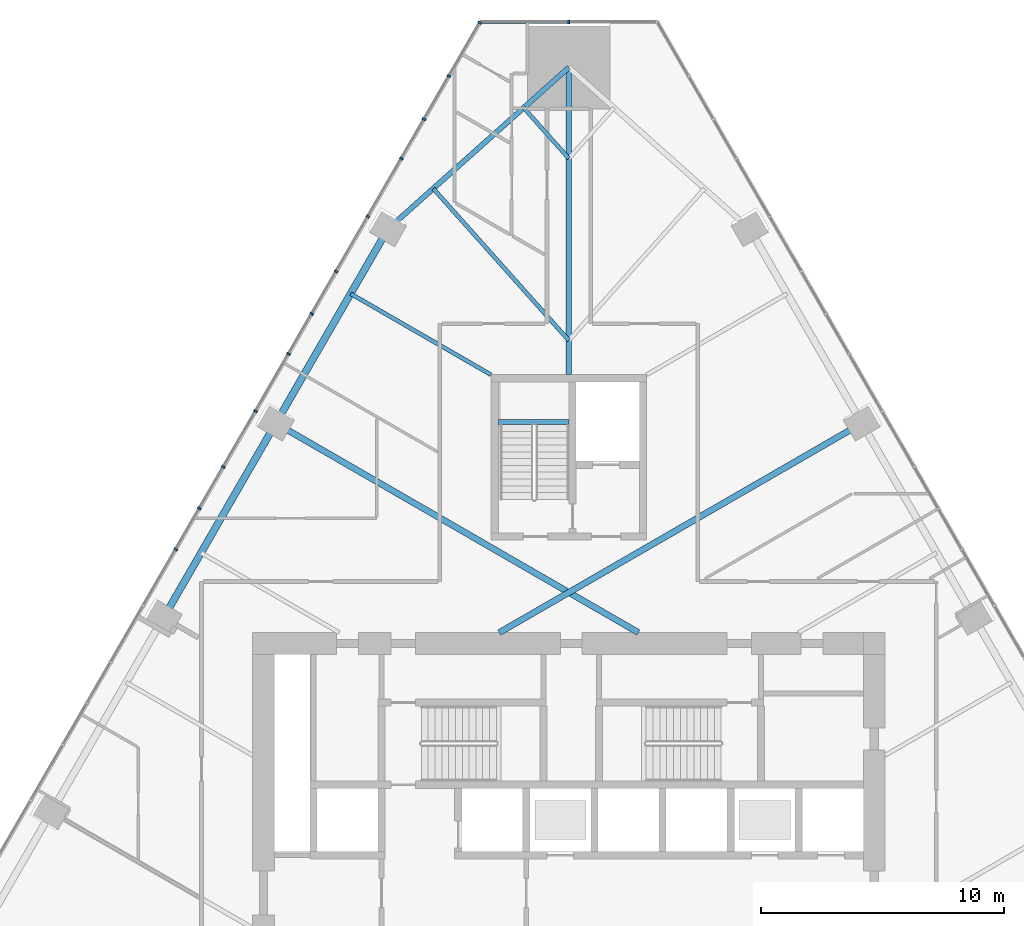
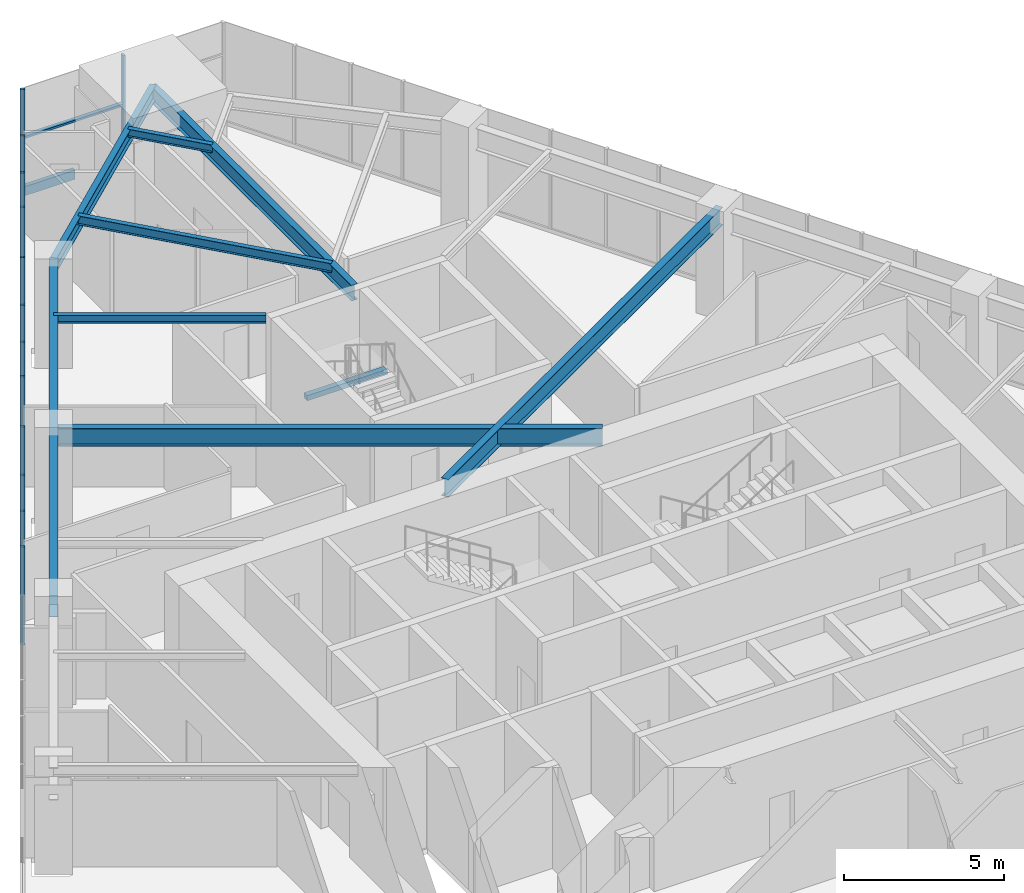
# One storey, part 9 of 19: 15 members, 9 beams, 2 elements without a shape of their own.
"""IFC4 building model written with IfcOpenShell, lengths in metres."""

from ifc_helpers import new_model, si_unit, direction, frame, origin, origin_2d, place, context, subcontext, project, spatial, rectangle, i_section, extrude, material, layer, layer_set, material_profile, profile_set, type_object, element, aggregate, save


model = new_model("IFC4")

# Units and contexts
model_context = context("Model", 3, precision=1e-05, world=origin(), true_north=direction((0.0, 1.0)))
body_context = subcontext(model_context, "Body", "Model", "MODEL_VIEW")
ifc_project = project(units=[si_unit("LENGTHUNIT", "METRE"), si_unit("AREAUNIT", "SQUARE_METRE"), si_unit("VOLUMEUNIT", "CUBIC_METRE"), si_unit("PLANEANGLEUNIT", "RADIAN"), si_unit("MASSUNIT", "GRAM", prefix="KILO")], contexts=[model_context])

# Site, building, storey
site_placement = place(None, origin())
site = spatial("IfcSite", under=ifc_project, at=site_placement, CompositionType="ELEMENT")
building_placement = place(site_placement, origin())
building = spatial("IfcBuilding", under=site, at=building_placement, Name="Firuza Gate Tower and Library", CompositionType="ELEMENT")
storey_placement = place(building_placement, frame((0.0, 0.0, 136.60009765625)))
storey = spatial("IfcBuildingStorey", under=building, at=storey_placement, Name="L31", CompositionType="ELEMENT", Elevation=136.60009765625)

# Curtain wall, member
ifc_material_1 = material(Name="Aluminium 6063-T6", Category="aluminium")
ifc_layer_1 = layer(ifc_material_1, 0.14990234375)
ifc_layer_set_1 = layer_set([ifc_layer_1], Name="Corner curtain wall, chamfers")
curtain_wall_type_1 = type_object("IfcCurtainWallType", Name="Corner curtain wall, chamfers", PredefinedType="NOTDEFINED", material=ifc_layer_set_1)
placement = place(storey_placement, origin())
curtain_wall_1 = element("IfcCurtainWall", 1, at=placement, inside=storey, type_object=curtain_wall_type_1, Name="CW4 L31 N corner", PredefinedType="NOTDEFINED")
ifc_material_2 = material(Name="Aluminium 6063-T6", Category="aluminium")
ifc_material_profile_1 = material_profile(ifc_material_2, rectangle(XDim=0.14990234375, YDim=0.080078125, at=origin_2d()))
ifc_profile_set_1 = profile_set([ifc_material_profile_1], Name="Aluminium 6063-T6")
member_type_1 = type_object("IfcMemberType", Name="Curtain wall mullion 80x150", PredefinedType="MULLION", material=ifc_profile_set_1)
member_1_placement = place(storey_placement, frame((75.0, 109.103271484375, 0.14990234375), z_axis=(0.0, 0.0, 1.0), x_axis=(0.0, -1.0, 0.0)))
member_1 = element("IfcMember", 2, at=member_1_placement, type_object=member_type_1, Name="Mullion", PredefinedType="MULLION", context=body_context, shape_type="SweptSolid", body=[
    extrude(rectangle(XDim=0.14990234375, YDim=0.080078125, at=origin_2d()), origin(), (0.0, 0.0, 1.0), 3.75),
])

# Curtain wall, members
ifc_material_3 = material(Name="Aluminium 6063-T6", Category="aluminium")
ifc_layer_2 = layer(ifc_material_3, 0.14990234375)
ifc_layer_set_2 = layer_set([ifc_layer_2], Name="Unitised curtain wall, offices")
curtain_wall_type_2 = type_object("IfcCurtainWallType", Name="Unitised curtain wall, offices", PredefinedType="NOTDEFINED", material=ifc_layer_set_2)
curtain_wall_2 = element("IfcCurtainWall", 3, at=placement, inside=storey, type_object=curtain_wall_type_2, Name="CW1 L31 W face", PredefinedType="NOTDEFINED")
member_2_placement = place(storey_placement, frame((71.336669921875, 109.068603515625, 0.14990234375), z_axis=(0.0, 0.0, 1.0), x_axis=(0.866025403784, -0.5, 0.0)))
member_2 = element("IfcMember", 4, at=member_2_placement, type_object=member_type_1, Name="Mullion", PredefinedType="MULLION", context=body_context, shape_type="SweptSolid", body=[
    extrude(rectangle(XDim=0.14990234375, YDim=0.080078125, at=origin_2d()), origin(), (0.0, 0.0, 1.0), 3.75),
])
member_3_placement = place(storey_placement, frame((69.04736328125, 105.103271484375, 0.14990234375), z_axis=(0.0, 0.0, 1.0), x_axis=(0.866025403784, -0.5, 0.0)))
member_3 = element("IfcMember", 5, at=member_3_placement, type_object=member_type_1, Name="Mullion", PredefinedType="MULLION", context=body_context, shape_type="SweptSolid", body=[
    extrude(rectangle(XDim=0.14990234375, YDim=0.080078125, at=origin_2d()), origin(), (0.0, 0.0, 1.0), 3.75),
])
member_4_placement = place(storey_placement, frame((66.738037109375, 101.103271484375, 0.14990234375), z_axis=(0.0, 0.0, 1.0), x_axis=(0.866025403784, -0.5, 0.0)))
member_4 = element("IfcMember", 6, at=member_4_placement, type_object=member_type_1, Name="Mullion", PredefinedType="MULLION", context=body_context, shape_type="SweptSolid", body=[
    extrude(rectangle(XDim=0.14990234375, YDim=0.080078125, at=origin_2d()), origin(), (0.0, 0.0, 1.0), 3.75),
])
member_5_placement = place(storey_placement, frame((64.428466796875, 97.103271484375, 0.14990234375), z_axis=(0.0, 0.0, 1.0), x_axis=(0.866025403784, -0.5, 0.0)))
member_5 = element("IfcMember", 7, at=member_5_placement, type_object=member_type_1, Name="Mullion", PredefinedType="MULLION", context=body_context, shape_type="SweptSolid", body=[
    extrude(rectangle(XDim=0.14990234375, YDim=0.080078125, at=origin_2d()), origin(), (0.0, 0.0, 1.0), 3.75),
])
member_6_placement = place(storey_placement, frame((62.119140625, 93.103271484375, 0.14990234375), z_axis=(0.0, 0.0, 1.0), x_axis=(0.866025403784, -0.5, 0.0)))
member_6 = element("IfcMember", 8, at=member_6_placement, type_object=member_type_1, Name="Mullion", PredefinedType="MULLION", context=body_context, shape_type="SweptSolid", body=[
    extrude(rectangle(XDim=0.14990234375, YDim=0.080078125, at=origin_2d()), origin(), (0.0, 0.0, 1.0), 3.75),
])
member_7_placement = place(storey_placement, frame((59.809814453125, 89.103515625, 0.14990234375), z_axis=(0.0, 0.0, 1.0), x_axis=(0.866025403784, -0.5, 0.0)))
member_7 = element("IfcMember", 9, at=member_7_placement, type_object=member_type_1, Name="Mullion", PredefinedType="MULLION", context=body_context, shape_type="SweptSolid", body=[
    extrude(rectangle(XDim=0.14990234375, YDim=0.080078125, at=origin_2d()), origin(), (0.0, 0.0, 1.0), 3.75),
])
member_8_placement = place(storey_placement, frame((70.06884765625, 106.87255859375, 0.14990234375), z_axis=(0.0, 0.0, 1.0), x_axis=(0.866025403784, -0.5, 0.0)))
member_8 = element("IfcMember", 10, at=member_8_placement, type_object=member_type_1, Name="Mullion", PredefinedType="MULLION", context=body_context, shape_type="SweptSolid", body=[
    extrude(rectangle(XDim=0.14990234375, YDim=0.080078125, at=origin_2d()), origin(), (0.0, 0.0, 1.0), 3.75),
])
member_9_placement = place(storey_placement, frame((68.112548828125, 103.484375, 0.14990234375), z_axis=(0.0, 0.0, 1.0), x_axis=(0.866025403784, -0.5, 0.0)))
member_9 = element("IfcMember", 11, at=member_9_placement, type_object=member_type_1, Name="Mullion", PredefinedType="MULLION", context=body_context, shape_type="SweptSolid", body=[
    extrude(rectangle(XDim=0.14990234375, YDim=0.080078125, at=origin_2d()), origin(), (0.0, 0.0, 1.0), 3.75),
])
member_10_placement = place(storey_placement, frame((65.4326171875, 98.842529296875, 0.14990234375), z_axis=(0.0, 0.0, 1.0), x_axis=(0.866025403784, -0.5, 0.0)))
member_10 = element("IfcMember", 12, at=member_10_placement, type_object=member_type_1, Name="Mullion", PredefinedType="MULLION", context=body_context, shape_type="SweptSolid", body=[
    extrude(rectangle(XDim=0.14990234375, YDim=0.080078125, at=origin_2d()), origin(), (0.0, 0.0, 1.0), 3.75),
])
member_11_placement = place(storey_placement, frame((63.4765625, 95.454345703125, 0.14990234375), z_axis=(0.0, 0.0, 1.0), x_axis=(0.866025403784, -0.5, 0.0)))
member_11 = element("IfcMember", 13, at=member_11_placement, type_object=member_type_1, Name="Mullion", PredefinedType="MULLION", context=body_context, shape_type="SweptSolid", body=[
    extrude(rectangle(XDim=0.14990234375, YDim=0.080078125, at=origin_2d()), origin(), (0.0, 0.0, 1.0), 3.75),
])
member_12_placement = place(storey_placement, frame((60.79638671875, 90.8125, 0.14990234375), z_axis=(0.0, 0.0, 1.0), x_axis=(0.866025403784, -0.5, 0.0)))
member_12 = element("IfcMember", 14, at=member_12_placement, type_object=member_type_1, Name="Mullion", PredefinedType="MULLION", context=body_context, shape_type="SweptSolid", body=[
    extrude(rectangle(XDim=0.14990234375, YDim=0.080078125, at=origin_2d()), origin(), (0.0, 0.0, 1.0), 3.75),
])
member_13_placement = place(storey_placement, frame((58.84033203125, 87.42431640625, 0.14990234375), z_axis=(0.0, 0.0, 1.0), x_axis=(0.866025403784, -0.5, 0.0)))
member_13 = element("IfcMember", 15, at=member_13_placement, type_object=member_type_1, Name="Mullion", PredefinedType="MULLION", context=body_context, shape_type="SweptSolid", body=[
    extrude(rectangle(XDim=0.14990234375, YDim=0.080078125, at=origin_2d()), origin(), (0.0, 0.0, 1.0), 3.75),
])
aggregate(curtain_wall_2, [member_2, member_3, member_4, member_5, member_6, member_7, member_8, member_9, member_10, member_11, member_12, member_13])

# Member
ifc_material_4 = material(Name="Aluminium 6063-T6", Category="aluminium")
ifc_material_profile_2 = material_profile(ifc_material_4, rectangle(XDim=0.14990234375, YDim=0.35009765625, at=origin_2d()))
ifc_profile_set_2 = profile_set([ifc_material_profile_2], Name="Aluminium 6063-T6")
member_type_2 = type_object("IfcMemberType", Name="Curtain wall transom 350x150", PredefinedType="USERDEFINED", material=ifc_profile_set_2)
member_14_placement = place(storey_placement, frame((73.22021484375, 109.103271484375, -0.025146484375), z_axis=(-1.0, 0.0, 0.0), x_axis=(0.0, -1.0, 0.0)))
member_14 = element("IfcMember", 16, at=member_14_placement, type_object=member_type_2, Name="Transom", ObjectType="TRANSOM", PredefinedType="USERDEFINED", context=body_context, shape_type="SweptSolid", body=[
    extrude(rectangle(XDim=0.14990234375, YDim=0.35009765625, at=origin_2d()), origin(), (0.0, 0.0, 1.0), 1.863525390625),
])

ifc_material_5 = material(Name="Aluminium 6063-T6", Category="aluminium")
ifc_material_profile_3 = material_profile(ifc_material_5, rectangle(XDim=0.14990234375, YDim=0.080078125, at=origin_2d()))
ifc_profile_set_3 = profile_set([ifc_material_profile_3], Name="Aluminium 6063-T6")
member_type_3 = type_object("IfcMemberType", Name="Curtain wall transom 80x150", PredefinedType="USERDEFINED", material=ifc_profile_set_3)
member_15_placement = place(storey_placement, frame((74.9599609375, 109.103271484375, 2.02490234375), z_axis=(-1.0, 0.0, 0.0), x_axis=(0.0, -1.0, 0.0)))
member_15 = element("IfcMember", 17, at=member_15_placement, type_object=member_type_3, Name="Transom", ObjectType="TRANSOM", PredefinedType="USERDEFINED", context=body_context, shape_type="SweptSolid", body=[
    extrude(rectangle(XDim=0.14990234375, YDim=0.080078125, at=origin_2d()), origin(), (0.0, 0.0, 1.0), 3.563232421875),
])

aggregate(curtain_wall_1, [member_1, member_14, member_15])

# Beams
ifc_material_6 = material(Name="Concrete C35/45", Category="concrete")
ifc_material_profile_4 = material_profile(ifc_material_6, rectangle(XDim=0.199951171875, YDim=0.199951171875, at=origin_2d()))
ifc_profile_set_4 = profile_set([ifc_material_profile_4], Name="Concrete C35/45")
beam_type_1 = type_object("IfcBeamType", Name="Stair landing bearer 200x200", PredefinedType="BEAM", material=ifc_profile_set_4)
beam_1_placement = place(storey_placement, frame((75.0, 92.64990234375, 1.7998046875), z_axis=(-1.0, 0.0, 0.0), x_axis=(0.0, -1.0, 0.0)))
element("IfcBeam", 18, at=beam_1_placement, inside=storey, type_object=beam_type_1, Name="Landing bearer L31 stair 3", PredefinedType="BEAM", context=body_context, shape_type="SweptSolid", body=[
    extrude(rectangle(XDim=0.199951171875, YDim=0.199951171875, at=origin_2d()), origin(), (0.0, 0.0, 1.0), 2.89990234375),
])
ifc_material_7 = material(Name="Steel S355", Category="steel")
ifc_material_profile_5 = material_profile(ifc_material_7, i_section(OverallWidth=0.1650390625, OverallDepth=0.31005859375, WebThickness=0.005859375, FlangeThickness=0.009765625, at=origin_2d()))
ifc_profile_set_5 = profile_set([ifc_material_profile_5], Name="Steel S355")
beam_type_2 = type_object("IfcBeamType", Name="W310x39 Floor beam", PredefinedType="JOIST", material=ifc_profile_set_5)
beam_2_placement = place(storey_placement, frame((73.141845703125, 105.56884765625, 3.744873046875), z_axis=(0.666160121877, -0.745808750298, 0.0), x_axis=(0.745808750298, 0.666160121877, 0.0)))
element("IfcBeam", 19, at=beam_2_placement, inside=storey, type_object=beam_type_2, Name="Floor beam L31 s70", PredefinedType="JOIST", context=body_context, shape_type="SweptSolid", body=[
    extrude(i_section(OverallWidth=0.1650390625, OverallDepth=0.31005859375, WebThickness=0.005859375, FlangeThickness=0.009765625, at=origin_2d()), origin(), (0.0, 0.0, 1.0), 2.789306640625),
])
beam_3_placement = place(storey_placement, frame((66.03076171875, 97.928466796875, 3.744873046875), z_axis=(0.866015314403, -0.500017474915, 0.0), x_axis=(0.500017474915, 0.866015314403, 0.0)))
element("IfcBeam", 20, at=beam_3_placement, inside=storey, type_object=beam_type_2, Name="Floor beam L31 s80", PredefinedType="JOIST", context=body_context, shape_type="SweptSolid", body=[
    extrude(i_section(OverallWidth=0.1650390625, OverallDepth=0.31005859375, WebThickness=0.005859375, FlangeThickness=0.009765625, at=origin_2d()), origin(), (0.0, 0.0, 1.0), 6.661865234375),
])
ifc_material_8 = material(Name="Steel S355", Category="steel")
ifc_material_profile_6 = material_profile(ifc_material_8, i_section(OverallWidth=0.1708984375, OverallDepth=0.35498046875, WebThickness=0.007080078125, FlangeThickness=0.01171875, at=origin_2d()))
ifc_profile_set_6 = profile_set([ifc_material_profile_6], Name="Steel S355")
beam_type_3 = type_object("IfcBeamType", Name="W360x51 Floor beam", PredefinedType="JOIST", material=ifc_profile_set_6)
beam_4_placement = place(storey_placement, frame((69.42578125, 102.250244140625, 3.722412109375), z_axis=(0.666114903296, -0.745849137297, 0.0), x_axis=(0.745849137297, 0.666114903296, 0.0)))
element("IfcBeam", 21, at=beam_4_placement, inside=storey, type_object=beam_type_3, Name="Floor beam L31 s71", PredefinedType="JOIST", context=body_context, shape_type="SweptSolid", body=[
    extrude(i_section(OverallWidth=0.1708984375, OverallDepth=0.35498046875, WebThickness=0.007080078125, FlangeThickness=0.01171875, at=origin_2d()), origin(), (0.0, 0.0, 1.0), 8.3681640625),
])
ifc_material_9 = material(Name="Steel S355", Category="steel")
ifc_material_profile_7 = material_profile(ifc_material_9, i_section(OverallWidth=0.212890625, OverallDepth=0.5390625, WebThickness=0.01171875, FlangeThickness=0.018798828125, at=origin_2d()))
ifc_profile_set_7 = profile_set([ifc_material_profile_7], Name="Steel S355")
beam_type_4 = type_object("IfcBeamType", Name="W530x109 Edge beam", PredefinedType="SPANDREL", material=ifc_profile_set_7)
beam_5_placement = place(storey_placement, frame((75.0, 107.228271484375, 3.63037109375), z_axis=(-0.745856797899, -0.666106325618, 0.0), x_axis=(0.666106325618, -0.745856797899, 0.0)))
element("IfcBeam", 22, at=beam_5_placement, inside=storey, type_object=beam_type_4, Name="Edge beam L31 e70", PredefinedType="SPANDREL", context=body_context, shape_type="SweptSolid", body=[
    extrude(i_section(OverallWidth=0.212890625, OverallDepth=0.5390625, WebThickness=0.01171875, FlangeThickness=0.018798828125, at=origin_2d()), origin(), (0.0, 0.0, 1.0), 9.964599609375),
])
ifc_material_10 = material(Name="Steel S355", Category="steel")
ifc_material_profile_8 = material_profile(ifc_material_10, i_section(OverallWidth=0.22802734375, OverallDepth=0.60302734375, WebThickness=0.010498046875, FlangeThickness=0.014892578125, at=origin_2d()))
ifc_profile_set_8 = profile_set([ifc_material_profile_8], Name="Steel S355")
beam_type_5 = type_object("IfcBeamType", Name="W610x101 Girder", PredefinedType="BEAM", material=ifc_profile_set_8)
beam_6_placement = place(storey_placement, frame((75.0, 107.228271484375, 3.598388671875), z_axis=(0.0, -1.0, 0.0), x_axis=(1.0, 0.0, 0.0)))
element("IfcBeam", 23, at=beam_6_placement, inside=storey, type_object=beam_type_5, Name="Girder L31 gN", PredefinedType="BEAM", context=body_context, shape_type="SweptSolid", body=[
    extrude(i_section(OverallWidth=0.22802734375, OverallDepth=0.60302734375, WebThickness=0.010498046875, FlangeThickness=0.014892578125, at=origin_2d()), origin(), (0.0, 0.0, 1.0), 12.628173828125),
])
ifc_material_11 = material(Name="Steel S355", Category="steel")
ifc_material_profile_9 = material_profile(ifc_material_11, i_section(OverallWidth=0.2529296875, OverallDepth=0.677978515625, WebThickness=0.01171875, FlangeThickness=0.016357421875, at=origin_2d()))
ifc_profile_set_9 = profile_set([ifc_material_profile_9], Name="Steel S355")
beam_type_6 = type_object("IfcBeamType", Name="W690x125 Floor beam", PredefinedType="JOIST", material=ifc_profile_set_9)
for number, where, z_axis, x_axis, name in (
    (24, (87.043701171875, 92.603271484375, 3.560791015625), (-0.866029878808, -0.499992248952, 0.0), (0.499992248952, -0.866029878808, 0.0), "Floor beam L31 s54"),
    (25, (62.956298828125, 92.603271484375, 3.560791015625), (0.866029878808, -0.499992248952, 0.0), (0.499992248952, 0.866029878808, 0.0), "Floor beam L31 s81"),
):
    element("IfcBeam", number, at=place(storey_placement, frame(where, z_axis=z_axis, x_axis=x_axis)), inside=storey, type_object=beam_type_6, Name=name, PredefinedType="JOIST", context=body_context, shape_type="SweptSolid", body=[
        extrude(i_section(OverallWidth=0.2529296875, OverallDepth=0.677978515625, WebThickness=0.01171875, FlangeThickness=0.016357421875, at=origin_2d()), origin(), (0.0, 0.0, 1.0), 17.206787109375),
    ])
ifc_material_12 = material(Name="Steel S355", Category="steel")
ifc_material_profile_10 = material_profile(ifc_material_12, i_section(OverallWidth=0.2919921875, OverallDepth=0.8349609375, WebThickness=0.013916015625, FlangeThickness=0.018798828125, at=origin_2d()))
ifc_profile_set_10 = profile_set([ifc_material_profile_10], Name="Steel S355")
beam_type_7 = type_object("IfcBeamType", Name="W840x176 Edge beam", PredefinedType="SPANDREL", material=ifc_profile_set_10)
beam_7_placement = place(storey_placement, frame((67.56787109375, 100.5908203125, 3.482421875), z_axis=(-0.500002380722, -0.86602402927, 0.0), x_axis=(0.86602402927, -0.500002380722, 0.0)))
element("IfcBeam", 26, at=beam_7_placement, inside=storey, type_object=beam_type_7, Name="Edge beam L31 e80", PredefinedType="SPANDREL", context=body_context, shape_type="SweptSolid", body=[
    extrude(i_section(OverallWidth=0.2919921875, OverallDepth=0.8349609375, WebThickness=0.013916015625, FlangeThickness=0.018798828125, at=origin_2d()), origin(), (0.0, 0.0, 1.0), 18.4462890625),
])

save(model, "model.ifc")
